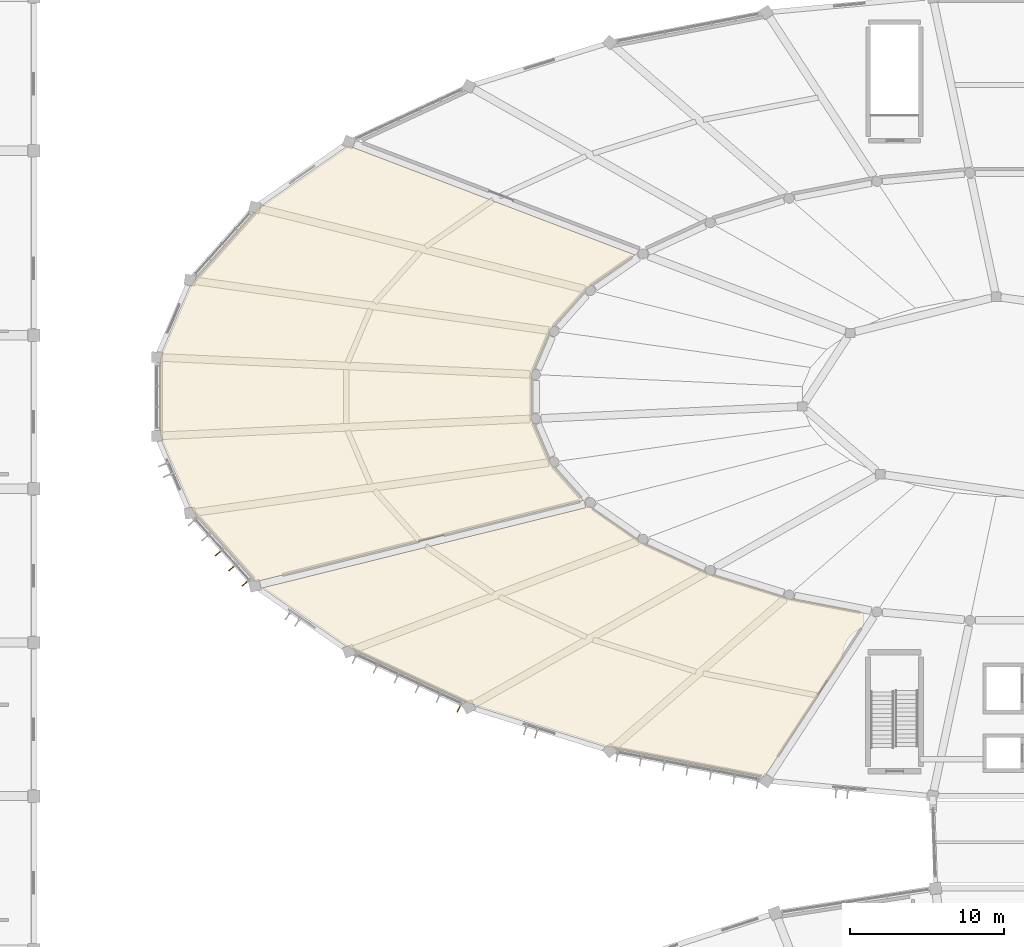
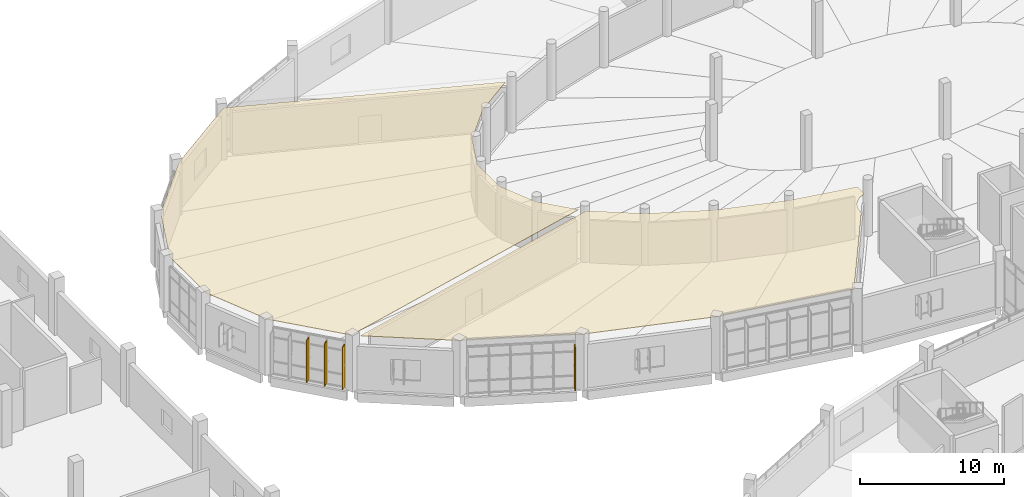
# One storey, part 160 of 179: 4 shading devices, 2 coverings.
"""IFC4 building model written with IfcOpenShell, lengths in metres."""

from ifc_helpers import new_model, si_unit, direction, frame, origin, origin_2d, place, context, subcontext, project, spatial, polyline, rectangle, outline, extrude, material, layer, layer_set, type_object, element, save


model = new_model("IFC4")

# Units and contexts
model_context = context("Model", 3, precision=1e-05, world=origin(), true_north=direction((0.0, 1.0)))
body_context = subcontext(model_context, "Body", "Model", "MODEL_VIEW")
ifc_project = project(units=[si_unit("LENGTHUNIT", "METRE"), si_unit("AREAUNIT", "SQUARE_METRE"), si_unit("VOLUMEUNIT", "CUBIC_METRE"), si_unit("PLANEANGLEUNIT", "RADIAN"), si_unit("MASSUNIT", "GRAM", prefix="KILO")], contexts=[model_context])

# Site, building, storey
site_placement = place(None, origin())
site = spatial("IfcSite", under=ifc_project, at=site_placement, CompositionType="ELEMENT")
building_placement = place(site_placement, origin())
building = spatial("IfcBuilding", under=site, at=building_placement, Name="Corvandel Quay Wholesale Market", CompositionType="ELEMENT")
storey_placement = place(building_placement, frame((0.0, 0.0, 6.0)))
storey = spatial("IfcBuildingStorey", under=building, at=storey_placement, Name="L01", CompositionType="ELEMENT", Elevation=6.0)

# Covering
ifc_material_1 = material(Name="Perforated powder-coated aluminium acoustic panel", Category="aluminium")
ifc_layer_1 = layer(ifc_material_1, 0.044921875)
ifc_layer_set_1 = layer_set([ifc_layer_1], Name="Perforated powder-coated aluminium acoustic panel")
covering_type_1 = type_object("IfcCoveringType", Name="Perforated Acoustic Baffle Ceiling CLG01", PredefinedType="CEILING", material=ifc_layer_set_1)
covering_1_placement = place(storey_placement, frame((0.0, 0.0, 4.31005859375)))
element("IfcCovering", 1, at=covering_1_placement, inside=storey, type_object=covering_type_1, Name="Suspended Ceiling CLG-012", PredefinedType="CEILING", context=body_context, shape_type="SweptSolid", body=[
    extrude(outline(polyline([(87.531005859375, 93.193115234375), (78.389892578125, 96.028076171875), (78.387939453125, 96.029052734375), (70.6240234375, 99.634033203125), (70.6220703125, 99.635009765625), (70.62109375, 99.635986328125), (64.98193359375, 103.553955078125), (64.97998046875, 103.554931640625), (64.97900390625, 103.555908203125), (64.97705078125, 103.55810546875), (64.97607421875, 103.55908203125), (64.97509765625, 103.56103515625), (64.97412109375, 103.56298828125), (64.97412109375, 103.56494140625), (64.972900390625, 103.56689453125), (64.972900390625, 103.569091796875), (64.972900390625, 103.571044921875), (64.972900390625, 103.572998046875), (64.97412109375, 103.574951171875), (64.97412109375, 103.576904296875), (64.97509765625, 103.577880859375), (64.97607421875, 103.580078125), (64.97705078125, 103.58203125), (64.97802734375, 103.5830078125), (64.97900390625, 103.5849609375), (64.98095703125, 103.5859375), (64.98291015625, 103.5869140625), (64.98388671875, 103.587890625), (64.986083984375, 103.589111328125), (64.988037109375, 103.589111328125), (86.152099609375, 108.841064453125), (86.154052734375, 108.842041015625), (86.156005859375, 108.842041015625), (86.157958984375, 108.842041015625), (86.159912109375, 108.842041015625), (86.162109375, 108.841064453125), (86.1630859375, 108.841064453125), (86.1650390625, 108.840087890625), (86.1669921875, 108.839111328125), (86.16796875, 108.837890625), (89.52392578125, 106.509033203125), (93.909912109375, 104.472900390625), (99.075927734375, 102.866943359375), (103.964111328125, 101.927001953125), (103.966064453125, 101.926025390625), (103.968017578125, 101.926025390625), (103.968994140625, 101.925048828125), (103.970947265625, 101.924072265625), (103.972900390625, 101.923095703125), (103.97412109375, 101.9208984375), (103.97509765625, 101.919921875), (103.97705078125, 101.91796875), (103.97802734375, 101.916015625), (103.97802734375, 101.9150390625), (103.97900390625, 101.9130859375), (103.97998046875, 101.910888671875), (103.97998046875, 101.908935546875), (103.97998046875, 101.906982421875), (103.97998046875, 101.10888671875), (103.97998046875, 101.10693359375), (103.97998046875, 101.10498046875), (103.97900390625, 101.10302734375), (103.97900390625, 101.10107421875), (103.97802734375, 101.10009765625), (103.97705078125, 101.097900390625), (103.842041015625, 100.89208984375), (103.760986328125, 100.863037109375), (103.60107421875, 100.787109375), (103.449951171875, 100.697021484375), (103.30810546875, 100.591064453125), (103.177001953125, 100.472900390625), (103.05908203125, 100.342041015625), (102.952880859375, 100.199951171875), (102.863037109375, 100.049072265625), (102.787109375, 99.888916015625), (102.72802734375, 99.722900390625), (102.68505859375, 99.551025390625), (102.658935546875, 99.3759765625), (102.64990234375, 99.199951171875), (102.64990234375, 99.06689453125), (97.56005859375, 91.27587890625), (97.55908203125, 91.27392578125), (97.556884765625, 91.27294921875), (97.555908203125, 91.27197265625), (97.553955078125, 91.27001953125), (97.552978515625, 91.26904296875), (97.551025390625, 91.26904296875), (97.549072265625, 91.26806640625), (97.547119140625, 91.26708984375), (97.544921875, 91.26708984375), (97.54296875, 91.26708984375), (97.541015625, 91.26708984375), (97.5390625, 91.26708984375), (87.532958984375, 93.19189453125), (87.531005859375, 93.193115234375)])), origin(), (0.0, 0.0, 1.0), 0.044921875),
])

# Shading devices
ifc_material_2 = material(Name="Bronze anodised extruded aluminium 6063-T6", Category="aluminium")
shading_device_type = type_object("IfcShadingDeviceType", Name="Vertical Anodised Bronze Solar Fin FN01 480mm", PredefinedType="JALOUSIE", material=ifc_material_2)
for number, where, z_axis, x_axis, name in (
    (2, (61.97900390625, 105.797119140625, 0.175048828125), (0.0, 0.0, 1.0), (0.746289766155, 0.665621202286, 0.0), "Solar Fin 0283"),
    (3, (62.8544921875, 104.8154296875, 0.175048828125), (0.0, 0.0, 1.0), (0.746289766155, 0.665621202286, 0.0), "Solar Fin 0284"),
    (4, (63.72998046875, 103.833984375, 0.175048828125), (0.0, 0.0, 1.0), (0.746289766155, 0.665621202286, 0.0), "Solar Fin 0285"),
    (5, (77.652099609375, 95.686767578125, 0.175048828125), (0.0, 0.0, 1.0), (0.421194115999, 0.906970515865, 0.0), "Solar Fin 0302"),
):
    element("IfcShadingDevice", number, at=place(storey_placement, frame(where, z_axis=z_axis, x_axis=x_axis)), inside=storey, type_object=shading_device_type, Name=name, PredefinedType="JALOUSIE", context=body_context, shape_type="SweptSolid", body=[
        extrude(rectangle(XDim=0.47998046875, YDim=0.06494140625, at=origin_2d()), origin(), (0.0, 0.0, 1.0), 3.60009765625),
    ])

# Covering
ifc_material_3 = material(Name="Moisture-resistant washable PVC-faced gypsum board")
ifc_layer_2 = layer(ifc_material_3, 0.0400390625)
ifc_layer_set_2 = layer_set([ifc_layer_2], Name="Moisture-resistant washable PVC-faced gypsum board")
covering_type_2 = type_object("IfcCoveringType", Name="Washable Hygienic Market Ceiling CLG02", PredefinedType="CEILING", material=ifc_layer_set_2)
covering_2_placement = place(storey_placement, frame((0.0, 0.0, 4.31005859375)))
element("IfcCovering", 6, at=covering_2_placement, inside=storey, type_object=covering_type_2, Name="Suspended Ceiling CLG-011", PredefinedType="CEILING", context=body_context, shape_type="SweptSolid", body=[
    extrude(outline(polyline([(60.35791015625, 108.544921875), (60.35693359375, 108.547119140625), (60.35595703125, 108.549072265625), (58.241943359375, 113.48388671875), (58.240966796875, 113.486083984375), (58.239990234375, 113.488037109375), (58.239990234375, 113.489990234375), (58.239990234375, 113.491943359375), (58.239990234375, 118.508056640625), (58.239990234375, 118.510009765625), (58.239990234375, 118.511962890625), (58.240966796875, 118.513916015625), (58.241943359375, 118.51611328125), (60.35595703125, 123.450927734375), (60.35693359375, 123.452880859375), (60.35791015625, 123.455078125), (60.35888671875, 123.4560546875), (64.531982421875, 128.133056640625), (64.533935546875, 128.135009765625), (64.535888671875, 128.135986328125), (70.527099609375, 132.298095703125), (70.528076171875, 132.299072265625), (70.530029296875, 132.300048828125), (70.531982421875, 132.301025390625), (70.533935546875, 132.302001953125), (70.535888671875, 132.302001953125), (70.5380859375, 132.302001953125), (70.5390625, 132.302001953125), (70.541015625, 132.302001953125), (70.54296875, 132.301025390625), (70.544921875, 132.301025390625), (89.094970703125, 125.23193359375), (89.096923828125, 125.23095703125), (89.09912109375, 125.22998046875), (89.10009765625, 125.22900390625), (89.10205078125, 125.22802734375), (89.10302734375, 125.22607421875), (89.10400390625, 125.22509765625), (89.10498046875, 125.222900390625), (89.10595703125, 125.220947265625), (89.10693359375, 125.218994140625), (89.10791015625, 125.217041015625), (89.10791015625, 125.215087890625), (89.10791015625, 125.212890625), (89.10791015625, 125.2109375), (89.10791015625, 125.2099609375), (89.10693359375, 125.2080078125), (89.10693359375, 125.2060546875), (89.10595703125, 125.2041015625), (89.10498046875, 125.201904296875), (89.10400390625, 125.200927734375), (89.10205078125, 125.198974609375), (89.10107421875, 125.197998046875), (89.09912109375, 125.197021484375), (86.052001953125, 123.0791015625), (83.6669921875, 120.407958984375), (83.6240234375, 120.340087890625), (82.406005859375, 117.485107421875), (82.39990234375, 114.568115234375), (82.419921875, 114.469970703125), (83.64892578125, 111.615966796875), (85.742919921875, 109.264892578125), (85.743896484375, 109.263916015625), (85.7451171875, 109.261962890625), (85.74609375, 109.260009765625), (85.7470703125, 109.259033203125), (85.7470703125, 109.257080078125), (85.748046875, 109.2548828125), (85.748046875, 109.2529296875), (85.748046875, 109.2509765625), (85.748046875, 109.2490234375), (85.7470703125, 109.2470703125), (85.7470703125, 109.2451171875), (85.74609375, 109.242919921875), (85.7451171875, 109.241943359375), (85.743896484375, 109.239990234375), (85.742919921875, 109.239013671875), (85.740966796875, 109.237060546875), (85.739990234375, 109.236083984375), (85.738037109375, 109.235107421875), (85.737060546875, 109.23388671875), (85.735107421875, 109.23291015625), (85.73291015625, 109.23291015625), (64.468017578125, 103.955078125), (64.466064453125, 103.9541015625), (64.464111328125, 103.9541015625), (64.4619140625, 103.9541015625), (64.4599609375, 103.9541015625), (64.4580078125, 103.955078125), (64.4560546875, 103.955078125), (64.4541015625, 103.9560546875), (64.452880859375, 103.95703125), (64.450927734375, 103.9580078125), (64.448974609375, 103.958984375), (64.447998046875, 103.9609375), (60.35888671875, 108.5439453125), (60.35791015625, 108.544921875)])), origin(), (0.0, 0.0, 1.0), 0.044921875),
])

save(model, "model.ifc")
